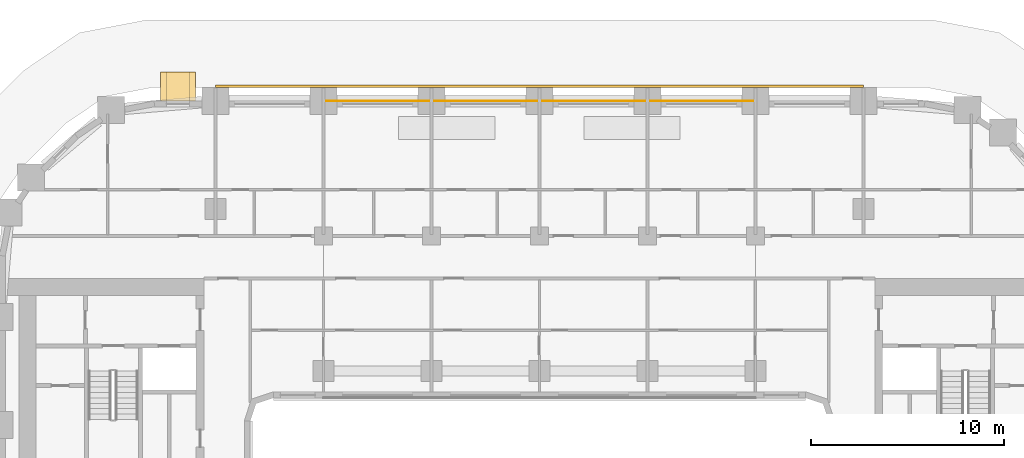
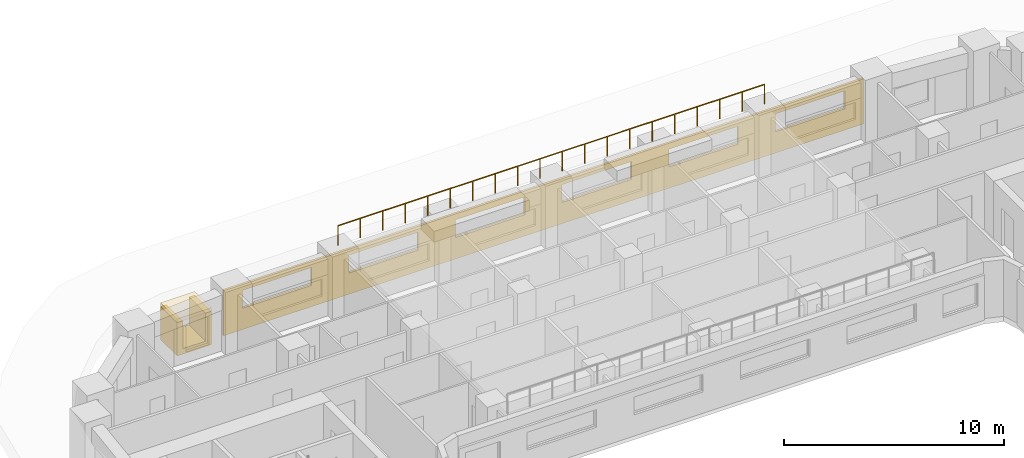
# One storey, part 17 of 18: 3 coverings, 1 railing.
"""IFC4 building model written with IfcOpenShell, lengths in metres."""

from ifc_helpers import new_model, si_unit, direction, frame, origin, origin_2d, place, context, subcontext, project, spatial, polyline, rectangle, circle, outline, extrude, material, layer, layer_set, type_object, element, save


model = new_model("IFC4")

# Units and contexts
model_context = context("Model", 3, precision=1e-05, world=origin(), true_north=direction((0.0, 1.0)))
body_context = subcontext(model_context, "Body", "Model", "MODEL_VIEW")
ifc_project = project(units=[si_unit("LENGTHUNIT", "METRE"), si_unit("AREAUNIT", "SQUARE_METRE"), si_unit("VOLUMEUNIT", "CUBIC_METRE"), si_unit("PLANEANGLEUNIT", "RADIAN"), si_unit("MASSUNIT", "GRAM", prefix="KILO")], contexts=[model_context])

# Site, building, storey
site_placement = place(None, origin())
site = spatial("IfcSite", under=ifc_project, at=site_placement, CompositionType="ELEMENT")
building_placement = place(site_placement, origin())
building = spatial("IfcBuilding", under=site, at=building_placement, Name="Kiln Ring Residences", CompositionType="ELEMENT")
storey_placement = place(building_placement, frame((0.0, 0.0, 69.0)))
storey = spatial("IfcBuildingStorey", under=building, at=storey_placement, Name="L17", CompositionType="ELEMENT", Elevation=69.0)

# Coverings
ifc_material_1 = material(Name="Brick masonry, dark clay brick", Category="masonry")
ifc_layer_1 = layer(ifc_material_1, 0.300048828125)
ifc_layer_set_1 = layer_set([ifc_layer_1], Name="FRAME CHEEKS AND SILL 1500")
covering_type_1 = type_object("IfcCoveringType", Name="FRAME CHEEKS AND SILL 1500", PredefinedType="CLADDING", material=ifc_layer_set_1)
covering_1_placement = place(storey_placement, frame((-17.85009765625, 23.14990234375, 0.300048828125), z_axis=(0.0, 0.0, 1.0), x_axis=(-1.0, 0.0, 0.0)))
element("IfcCovering", 1, at=covering_1_placement, inside=storey, type_object=covering_type_1, Name="FRAME L17", PredefinedType="CLADDING", context=body_context, shape_type="SweptSolid", body=[
    extrude(outline(polyline([(0.0, 0.0), (1.7998046875, 0.0), (1.800048828125, 1.849853515625), (1.5009765625, 1.849853515625), (1.5, 0.300048828125), (0.300048828125, 0.300048828125), (0.299072265625, 1.849853515625), (0.0, 1.849853515625), (0.0, 0.0)])), frame((0.0, 0.75, 0.0), z_axis=(0.0, -1.0, 0.0), x_axis=(1.0, 0.0, 0.0)), (0.0, 0.0, 1.0), 1.5),
])
ifc_material_2 = material(Name="Brick masonry, dark clay brick", Category="masonry")
ifc_layer_2 = layer(ifc_material_2, 0.199951171875)
ifc_layer_set_2 = layer_set([ifc_layer_2], Name="FRAME HEAD 1500")
covering_type_2 = type_object("IfcCoveringType", Name="FRAME HEAD 1500", PredefinedType="CLADDING", material=ifc_layer_set_2)
covering_2_placement = place(storey_placement, frame((-18.75, 23.14990234375, 2.14990234375), z_axis=(0.0, 0.0, 1.0), x_axis=(-1.0, 0.0, 0.0)))
element("IfcCovering", 2, at=covering_2_placement, inside=storey, type_object=covering_type_2, Name="FRAME HEAD L17", PredefinedType="CLADDING", context=body_context, shape_type="SweptSolid", body=[
    extrude(rectangle(XDim=1.800048828125, YDim=1.5, at=origin_2d()), origin(), (0.0, 0.0, 1.0), 0.199951171875),
])
ifc_material_3 = material(Name="Brick masonry, dark clay brick", Category="masonry")
ifc_layer_3 = layer(ifc_material_3, 0.1201171875)
ifc_layer_set_3 = layer_set([ifc_layer_3], Name="RAINSCREEN PANEL 120")
covering_type_3 = type_object("IfcCoveringType", Name="RAINSCREEN PANEL 120", PredefinedType="CLADDING", material=ifc_layer_set_3)
covering_3_placement = place(storey_placement, frame((16.800048828125, 23.159912109375, 0.0), z_axis=(0.0, 0.0, 1.0), x_axis=(-1.0, 0.0, 0.0)))
element("IfcCovering", 3, at=covering_3_placement, inside=storey, type_object=covering_type_3, Name="RAINSCREEN L17", PredefinedType="CLADDING", context=body_context, shape_type="SweptSolid", body=[
    extrude(outline(polyline([(0.0, 0.0), (33.60009765625, 0.0), (33.60009765625, 2.5), (0.0, 2.5), (0.0, 0.0)]), holes=[polyline([(4.6201171875, 1.179931640625), (4.6201171875, 2.169921875), (0.97998046875, 2.169921875), (0.97998046875, 1.179931640625), (4.6201171875, 1.179931640625)]), polyline([(6.580078125, 1.179931640625), (10.219970703125, 1.179931640625), (10.219970703125, 2.169921875), (6.580078125, 2.169921875), (6.580078125, 1.179931640625)]), polyline([(12.179931640625, 1.179931640625), (15.820068359375, 1.179931640625), (15.820068359375, 2.169921875), (12.179931640625, 2.169921875), (12.179931640625, 1.179931640625)]), polyline([(21.419921875, 1.179931640625), (21.419921875, 2.169921875), (17.780029296875, 2.169921875), (17.780029296875, 1.179931640625), (21.419921875, 1.179931640625)]), polyline([(23.3798828125, 1.179931640625), (27.02001953125, 1.179931640625), (27.02001953125, 2.169921875), (23.3798828125, 2.169921875), (23.3798828125, 1.179931640625)]), polyline([(28.97998046875, 1.179931640625), (32.6201171875, 1.179931640625), (32.6201171875, 2.169921875), (28.97998046875, 2.169921875), (28.97998046875, 1.179931640625)])]), frame((0.0, 0.06005859375, 0.0), z_axis=(0.0, -1.0, 0.0), x_axis=(1.0, 0.0, 0.0)), (0.0, 0.0, 1.0), 0.1201171875),
])

# Railing
ifc_material_4 = material(Name="Black powder-coated steel", Category="steel")
railing_type = type_object("IfcRailingType", Name="ROOF GUARD 1100", PredefinedType="GUARDRAIL", material=ifc_material_4)
railing_placement = place(storey_placement, frame((11.199951171875, 22.39990234375, 3.5)))
element("IfcRailing", 4, at=railing_placement, inside=storey, type_object=railing_type, Name="GUARD L17 sky portal terrace", PredefinedType="GUARDRAIL", context=body_context, shape_type="SweptSolid", body=[
    extrude(circle(Radius=0.02392578125, at=origin_2d()), frame((0.0, 0.0, 1.076171875), z_axis=(-1.0, 0.0, 0.0), x_axis=(0.0, -1.0, 0.0)), (0.0, 0.0, 1.0), 22.39990234375),
    extrude(circle(Radius=0.02099609375, at=origin_2d()), origin(), (0.0, 0.0, 1.0), 1.052001953125),
    extrude(circle(Radius=0.02099609375, at=origin_2d()), frame((-1.178955078125, 0.0, 0.0)), (0.0, 0.0, 1.0), 1.052001953125),
    extrude(circle(Radius=0.02099609375, at=origin_2d()), frame((-2.35791015625, 0.0, 0.0)), (0.0, 0.0, 1.0), 1.052001953125),
    extrude(circle(Radius=0.02099609375, at=origin_2d()), frame((-3.536865234375, 0.0, 0.0)), (0.0, 0.0, 1.0), 1.052001953125),
    extrude(circle(Radius=0.02099609375, at=origin_2d()), frame((-4.7158203125, 0.0, 0.0)), (0.0, 0.0, 1.0), 1.052001953125),
    extrude(circle(Radius=0.02099609375, at=origin_2d()), frame((-5.894775390625, 0.0, 0.0)), (0.0, 0.0, 1.0), 1.052001953125),
    extrude(circle(Radius=0.02099609375, at=origin_2d()), frame((-7.07373046875, 0.0, 0.0)), (0.0, 0.0, 1.0), 1.052001953125),
    extrude(circle(Radius=0.02099609375, at=origin_2d()), frame((-8.252685546875, 0.0, 0.0)), (0.0, 0.0, 1.0), 1.052001953125),
    extrude(circle(Radius=0.02099609375, at=origin_2d()), frame((-9.431640625, 0.0, 0.0)), (0.0, 0.0, 1.0), 1.052001953125),
    extrude(circle(Radius=0.02099609375, at=origin_2d()), frame((-10.610595703125, 0.0, 0.0)), (0.0, 0.0, 1.0), 1.052001953125),
    extrude(circle(Radius=0.02099609375, at=origin_2d()), frame((-11.789306640625, 0.0, 0.0)), (0.0, 0.0, 1.0), 1.052001953125),
    extrude(circle(Radius=0.02099609375, at=origin_2d()), frame((-12.96826171875, 0.0, 0.0)), (0.0, 0.0, 1.0), 1.052001953125),
    extrude(circle(Radius=0.02099609375, at=origin_2d()), frame((-14.147216796875, 0.0, 0.0)), (0.0, 0.0, 1.0), 1.052001953125),
    extrude(circle(Radius=0.02099609375, at=origin_2d()), frame((-15.326171875, 0.0, 0.0)), (0.0, 0.0, 1.0), 1.052001953125),
    extrude(circle(Radius=0.02099609375, at=origin_2d()), frame((-16.505126953125, 0.0, 0.0)), (0.0, 0.0, 1.0), 1.052001953125),
    extrude(circle(Radius=0.02099609375, at=origin_2d()), frame((-17.68408203125, 0.0, 0.0)), (0.0, 0.0, 1.0), 1.052001953125),
    extrude(circle(Radius=0.02099609375, at=origin_2d()), frame((-18.863037109375, 0.0, 0.0)), (0.0, 0.0, 1.0), 1.052001953125),
    extrude(circle(Radius=0.02099609375, at=origin_2d()), frame((-20.0419921875, 0.0, 0.0)), (0.0, 0.0, 1.0), 1.052001953125),
    extrude(circle(Radius=0.02099609375, at=origin_2d()), frame((-21.220947265625, 0.0, 0.0)), (0.0, 0.0, 1.0), 1.052001953125),
    extrude(circle(Radius=0.02099609375, at=origin_2d()), frame((-22.39990234375, 0.0, 0.0)), (0.0, 0.0, 1.0), 1.052001953125),
])

save(model, "model.ifc")
